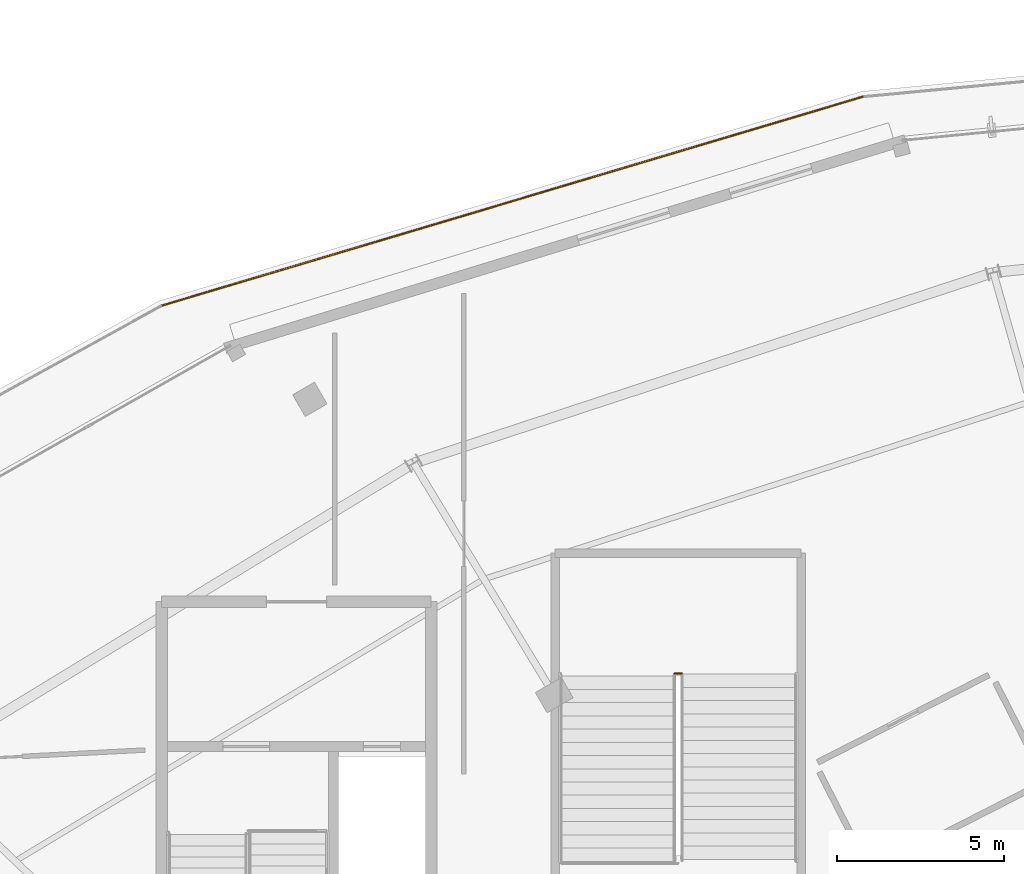
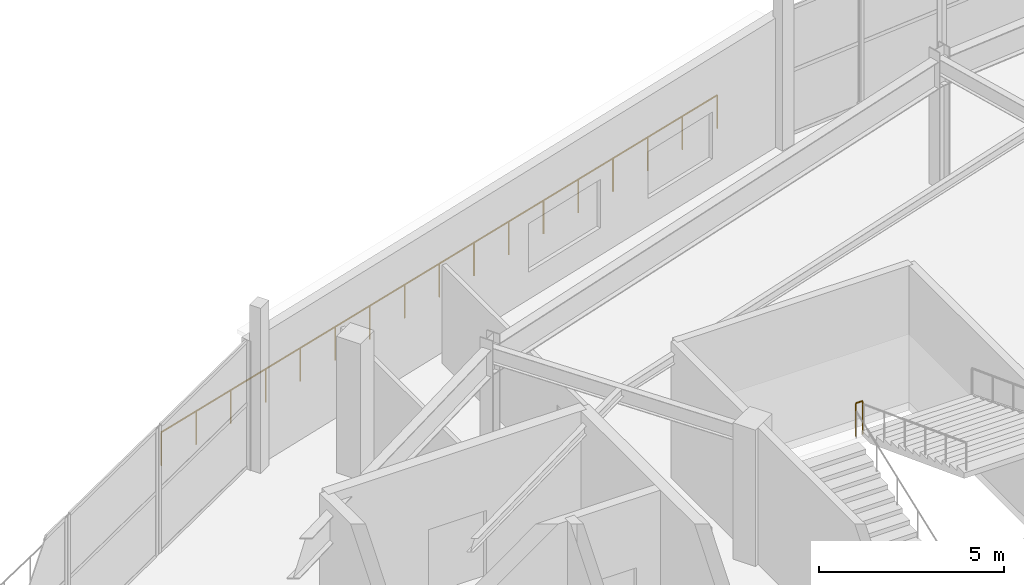
# One storey, part 114 of 123: 2 railings.
"""IFC4 building model written with IfcOpenShell, lengths in metres."""

from ifc_helpers import new_model, si_unit, direction, frame, origin, origin_2d, place, context, subcontext, project, spatial, circle, extrude, material, type_object, element, save


model = new_model("IFC4")

# Units and contexts
model_context = context("Model", 3, precision=1e-05, world=origin(), true_north=direction((0.0, 1.0)))
body_context = subcontext(model_context, "Body", "Model", "MODEL_VIEW")
ifc_project = project(units=[si_unit("LENGTHUNIT", "METRE"), si_unit("AREAUNIT", "SQUARE_METRE"), si_unit("VOLUMEUNIT", "CUBIC_METRE"), si_unit("PLANEANGLEUNIT", "RADIAN"), si_unit("MASSUNIT", "GRAM", prefix="KILO")], contexts=[model_context])

# Site, building, storey
site_placement = place(None, origin())
site = spatial("IfcSite", under=ifc_project, at=site_placement, CompositionType="ELEMENT")
building_placement = place(site_placement, origin())
building = spatial("IfcBuilding", under=site, at=building_placement, Name="Kalgoora Escarpment Arena", CompositionType="ELEMENT")
storey_placement = place(building_placement, frame((0.0, 0.0, 9.89990234375)))
storey = spatial("IfcBuildingStorey", under=building, at=storey_placement, Name="L02", CompositionType="ELEMENT", Elevation=9.89990234375)

# Railings
ifc_material_1 = material(Name="Galvanised & powdercoated tubular steel", Category="steel")
railing_type_1 = type_object("IfcRailingType", Name="RAL-GUARD-1120", PredefinedType="GUARDRAIL", material=ifc_material_1)
railing_1_placement = place(storey_placement, frame((64.294921875, 107.080078125, 2.25)))
element("IfcRailing", 1, at=railing_1_placement, inside=storey, type_object=railing_type_1, Name="ST09 L02 half-landing well guard", PredefinedType="GUARDRAIL", context=body_context, shape_type="SweptSolid", body=[
    extrude(circle(Radius=0.02392578125, at=origin_2d()), frame((0.0, 0.0, 1.09619140625), z_axis=(1.0, 0.0, 0.0), x_axis=(0.0, 1.0, 0.0)), (0.0, 0.0, 1.0), 0.2099609375),
    extrude(circle(Radius=0.02099609375, at=origin_2d()), origin(), (0.0, 0.0, 1.0), 1.072021484375),
    extrude(circle(Radius=0.02099609375, at=origin_2d()), frame((0.2099609375, 0.0, 0.0)), (0.0, 0.0, 1.0), 1.072021484375),
])
ifc_material_2 = material(Name="Champagne anodised aluminium & laminated glass", Category="aluminium")
railing_type_2 = type_object("IfcRailingType", Name="RAL-TERR-1100", PredefinedType="GUARDRAIL", material=ifc_material_2)
railing_2_placement = place(storey_placement, frame((48.962158203125, 118.064697265625, 0.0)))
element("IfcRailing", 2, at=railing_2_placement, inside=storey, type_object=railing_type_2, Name="Middle Planted Elliptical Garden Promenade perimeter guardrail 012", PredefinedType="GUARDRAIL", context=body_context, shape_type="SweptSolid", body=[
    extrude(circle(Radius=0.02392578125, at=origin_2d()), frame((0.0, 0.0, 1.09619140625), z_axis=(0.958340491261, 0.285628259823, 0.0), x_axis=(-0.285628259823, 0.958340491261, 0.0)), (0.0, 0.0, 1.0), 21.86181640625),
    extrude(circle(Radius=0.02099609375, at=origin_2d()), origin(), (0.0, 0.0, 1.0), 1.072021484375),
    extrude(circle(Radius=0.02099609375, at=origin_2d()), frame((1.3095703125, 0.390380859375, 0.0)), (0.0, 0.0, 1.0), 1.072021484375),
    extrude(circle(Radius=0.02099609375, at=origin_2d()), frame((2.618896484375, 0.780517578125, 0.0)), (0.0, 0.0, 1.0), 1.072021484375),
    extrude(circle(Radius=0.02099609375, at=origin_2d()), frame((3.92822265625, 1.1708984375, 0.0)), (0.0, 0.0, 1.0), 1.072021484375),
    extrude(circle(Radius=0.02099609375, at=origin_2d()), frame((5.23779296875, 1.56103515625, 0.0)), (0.0, 0.0, 1.0), 1.072021484375),
    extrude(circle(Radius=0.02099609375, at=origin_2d()), frame((6.54736328125, 1.951416015625, 0.0)), (0.0, 0.0, 1.0), 1.072021484375),
    extrude(circle(Radius=0.02099609375, at=origin_2d()), frame((7.856689453125, 2.341552734375, 0.0)), (0.0, 0.0, 1.0), 1.072021484375),
    extrude(circle(Radius=0.02099609375, at=origin_2d()), frame((9.166015625, 2.73193359375, 0.0)), (0.0, 0.0, 1.0), 1.072021484375),
    extrude(circle(Radius=0.02099609375, at=origin_2d()), frame((10.4755859375, 3.1220703125, 0.0)), (0.0, 0.0, 1.0), 1.072021484375),
    extrude(circle(Radius=0.02099609375, at=origin_2d()), frame((11.78515625, 3.512451171875, 0.0)), (0.0, 0.0, 1.0), 1.072021484375),
    extrude(circle(Radius=0.02099609375, at=origin_2d()), frame((13.094482421875, 3.90283203125, 0.0)), (0.0, 0.0, 1.0), 1.072021484375),
    extrude(circle(Radius=0.02099609375, at=origin_2d()), frame((14.40380859375, 4.29296875, 0.0)), (0.0, 0.0, 1.0), 1.072021484375),
    extrude(circle(Radius=0.02099609375, at=origin_2d()), frame((15.71337890625, 4.683349609375, 0.0)), (0.0, 0.0, 1.0), 1.072021484375),
    extrude(circle(Radius=0.02099609375, at=origin_2d()), frame((17.02294921875, 5.073486328125, 0.0)), (0.0, 0.0, 1.0), 1.072021484375),
    extrude(circle(Radius=0.02099609375, at=origin_2d()), frame((18.332275390625, 5.4638671875, 0.0)), (0.0, 0.0, 1.0), 1.072021484375),
    extrude(circle(Radius=0.02099609375, at=origin_2d()), frame((19.6416015625, 5.85400390625, 0.0)), (0.0, 0.0, 1.0), 1.072021484375),
    extrude(circle(Radius=0.02099609375, at=origin_2d()), frame((20.951171875, 6.244384765625, 0.0)), (0.0, 0.0, 1.0), 1.072021484375),
])

save(model, "model.ifc")
